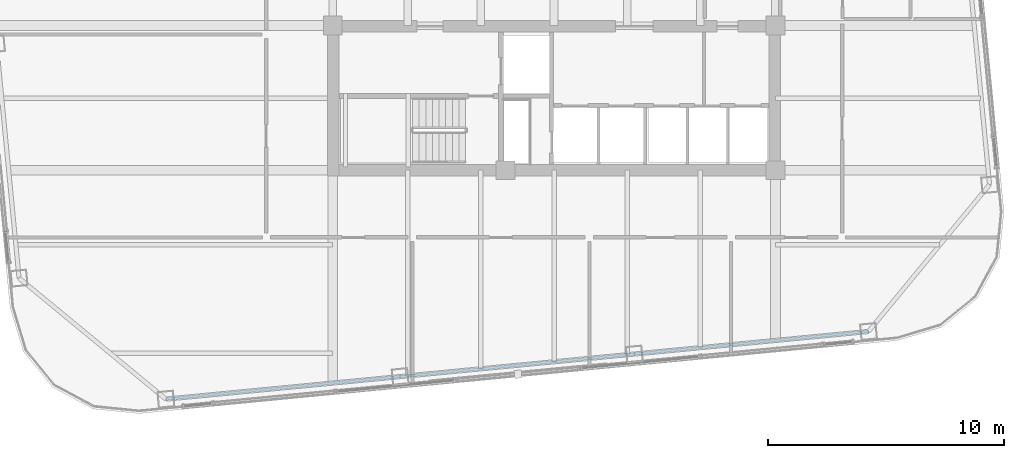
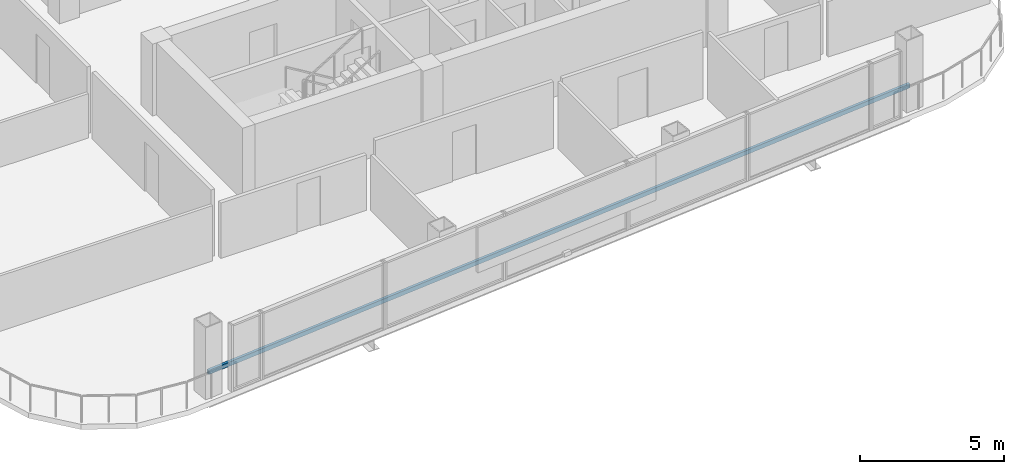
# One storey, part 5 of 29: 1 member.
"""IFC4 building model written with IfcOpenShell, lengths in metres."""

from ifc_helpers import new_model, si_unit, direction, frame, origin, origin_2d, place, context, subcontext, project, spatial, hollow_rectangle, extrude, material, material_profile, profile_set, type_object, element, save


model = new_model("IFC4")

# Units and contexts
model_context = context("Model", 3, precision=1e-05, world=origin(), true_north=direction((0.0, 1.0)))
body_context = subcontext(model_context, "Body", "Model", "MODEL_VIEW")
ifc_project = project(units=[si_unit("LENGTHUNIT", "METRE"), si_unit("AREAUNIT", "SQUARE_METRE"), si_unit("VOLUMEUNIT", "CUBIC_METRE"), si_unit("PLANEANGLEUNIT", "RADIAN"), si_unit("MASSUNIT", "GRAM", prefix="KILO")], contexts=[model_context])

# Site, building, storey
site_placement = place(None, origin())
site = spatial("IfcSite", under=ifc_project, at=site_placement, CompositionType="ELEMENT")
building_placement = place(site_placement, origin())
building = spatial("IfcBuilding", under=site, at=building_placement, Name="Qhalaya Broadcast Tower", CompositionType="ELEMENT")
storey_placement = place(building_placement, frame((0.0, 0.0, 177.5)))
storey = spatial("IfcBuildingStorey", under=building, at=storey_placement, Name="L52", CompositionType="ELEMENT", Elevation=177.5)

# Member
ifc_material = material(Name="Fired Architectural Terracotta", Category="masonry")
ifc_material_profile = material_profile(ifc_material, hollow_rectangle(XDim=0.110107421875, YDim=0.179931640625, WallThickness=0.01806640625, at=origin_2d()), Name="TB-BAG 110x180x18")
ifc_profile_set = profile_set([ifc_material_profile], Name="Fired Architectural Terracotta")
member_type = type_object("IfcMemberType", Name="Fired Terracotta Facade Baguette Member TB1", PredefinedType="USERDEFINED", material=ifc_profile_set)
member_placement = place(storey_placement, frame((-16.44189453125, -18.44775390625, 0.84912109375), z_axis=(0.995396364067, 0.095844031643, 0.0), x_axis=(-0.095844031643, 0.995396364067, 0.0)))
element("IfcMember", 1, at=member_placement, inside=storey, type_object=member_type, Name="L52 Terracotta Baguette Feature Rail S", ObjectType="BAGUETTE", PredefinedType="USERDEFINED", context=body_context, shape_type="SweptSolid", body=[
    extrude(hollow_rectangle(XDim=0.110107421875, YDim=0.179931640625, WallThickness=0.01806640625, at=origin_2d()), origin(), (0.0, 0.0, 1.0), 29.89990234375),
])

save(model, "model.ifc")
